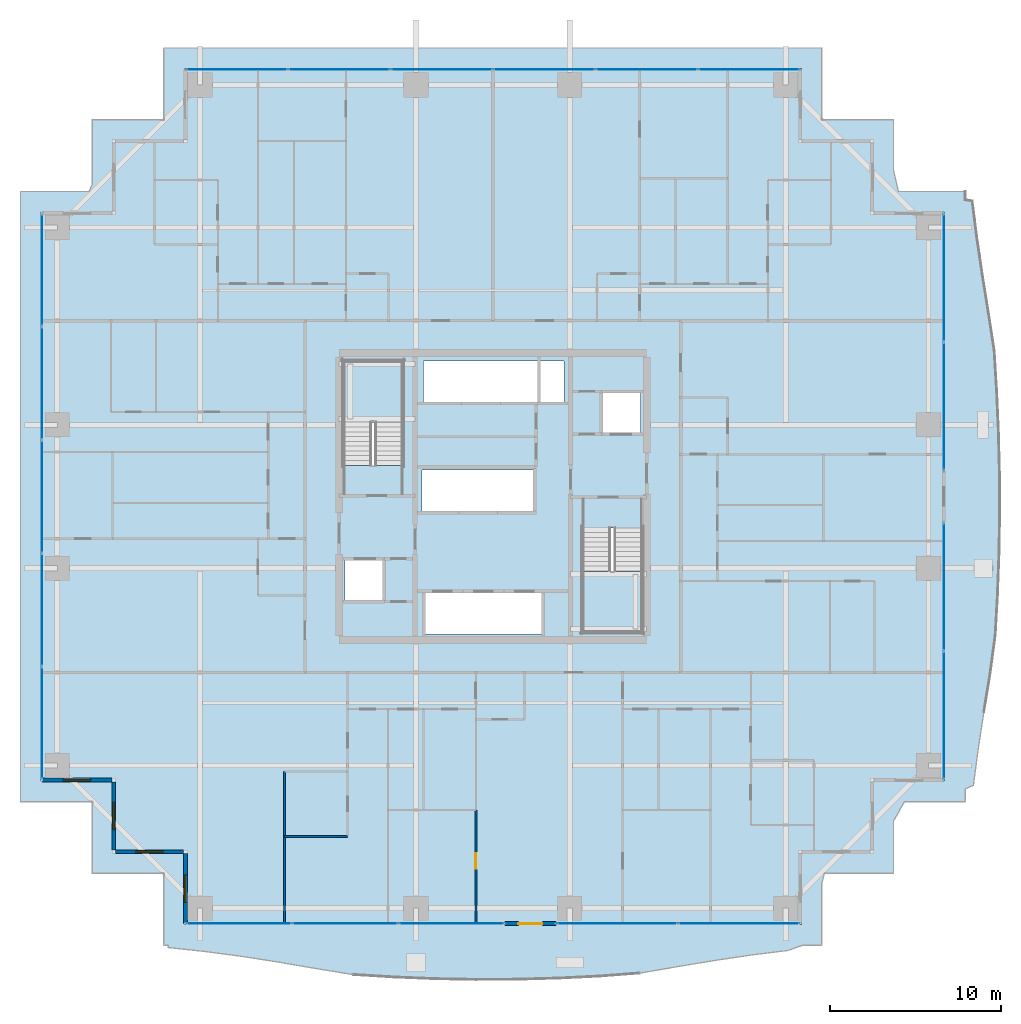
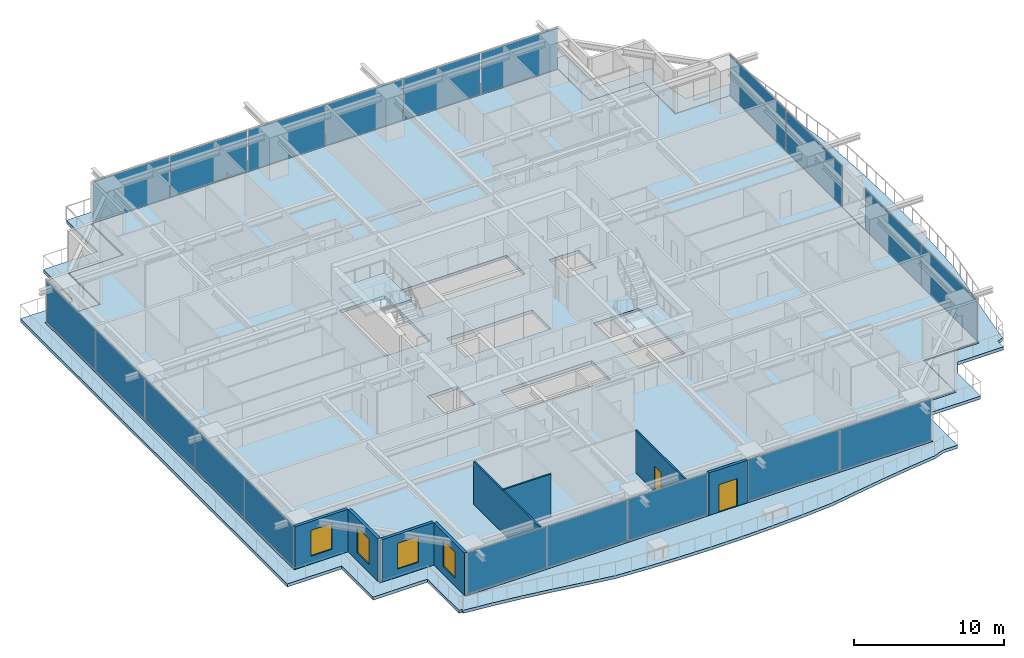
# One storey, part 26 of 39: 20 plates, 8 walls, 4 slabs, 4 windows, 2 doors, 6 openings, 8 elements without a shape of their own.
"""IFC4 building model written with IfcOpenShell, lengths in metres."""

import ifcopenshell
import ifcopenshell.guid

model = None  # the IFC model being written
_history = None  # IfcOwnerHistory: only IFC2X3 demands one
_inside = {}  # id of a spatial element -> (the spatial element, [elements in it])
_under = {}  # id of a project, library or spatial element -> (it, [spatial elements below it])
_declared = {}  # id of a project -> (the project, [libraries it declares])
_typed = {}  # id of a type object -> (the type object, [elements of that type])
_made_of = {}  # id of a material, layer set ... -> (it, [elements and type objects made of it])


def new_model(schema):
    """Start an empty IFC model of exactly this schema.

    Asked for "IFC4X3", IfcOpenShell would pick the latest addendum, in which some entities
    have other attributes; the version numbers below select the first issue.
    IFC2X3 requires an IfcOwnerHistory on every rooted entity: one is made here for all.
    """
    global model, _history
    if schema == "IFC4X3":
        model = ifcopenshell.file(schema_version=(4, 3, 0, 0))
    else:
        model = ifcopenshell.file(schema=schema)
    _inside.clear()
    _under.clear()
    _declared.clear()
    _typed.clear()
    _made_of.clear()
    _history = None
    if model.schema == "IFC2X3":
        org = make("IfcOrganization", Name="unknown")
        user = make(
            "IfcPersonAndOrganization",
            ThePerson=make("IfcPerson", FamilyName="unknown"),
            TheOrganization=org,
        )
        app = make(
            "IfcApplication",
            ApplicationDeveloper=org,
            Version="unknown",
            ApplicationFullName="unknown",
            ApplicationIdentifier="unknown",
        )
        _history = make(
            "IfcOwnerHistory",
            OwningUser=user,
            OwningApplication=app,
            ChangeAction="ADDED",
            CreationDate=0,
        )
    return model


def make(cls, **values):
    """One entity of the class cls with the attributes given. An attribute that is None is left unset."""
    return model.create_entity(
        cls, **{name: value for name, value in values.items() if value is not None}
    )


def rooted(cls, **values):
    """An entity with a GlobalId (a new one), such as an element, a storey or a relation."""
    return make(cls, GlobalId=ifcopenshell.guid.new(), OwnerHistory=_history, **values)


def si_unit(unit_type, name, prefix=None):
    """IfcSIUnit, for example si_unit("LENGTHUNIT", "METRE", prefix="MILLI")."""
    return make("IfcSIUnit", UnitType=unit_type, Prefix=prefix, Name=name)


def assignment(units):
    """IfcUnitAssignment: the units of a project."""
    return None if units is None else make("IfcUnitAssignment", Units=units)


def point(xyz):
    """IfcCartesianPoint."""
    return None if xyz is None else make("IfcCartesianPoint", Coordinates=xyz)


def direction(xyz):
    """IfcDirection."""
    return None if xyz is None else make("IfcDirection", DirectionRatios=xyz)


def frame(location, z_axis=None, x_axis=None):
    """IfcAxis2Placement3D, a coordinate frame: its origin and axes. An axis left out is left unset."""
    return make(
        "IfcAxis2Placement3D",
        Location=point(location),
        Axis=direction(z_axis),
        RefDirection=direction(x_axis),
    )


def frame_2d(location, x_axis=None):
    """IfcAxis2Placement2D, a coordinate frame in the plane: its origin and x axis."""
    return make(
        "IfcAxis2Placement2D", Location=point(location), RefDirection=direction(x_axis)
    )


def origin():
    """The frame at (0, 0, 0) with its axes left unset."""
    return frame((0.0, 0.0, 0.0))


def origin_2d():
    """The frame at (0, 0) in the plane with its x axis left unset."""
    return frame_2d((0.0, 0.0))


def place(relative_to, where):
    """IfcLocalPlacement: puts the frame where relative to a parent placement (None: the world)."""
    return make(
        "IfcLocalPlacement", PlacementRelTo=relative_to, RelativePlacement=where
    )


def context(
    kind, dimensions, precision=None, world=None, true_north=None, identifier=None
):
    """IfcGeometricRepresentationContext, for example the 3D "Model" context."""
    return make(
        "IfcGeometricRepresentationContext",
        ContextIdentifier=identifier,
        ContextType=kind,
        CoordinateSpaceDimension=dimensions,
        Precision=precision,
        WorldCoordinateSystem=world,
        TrueNorth=true_north,
    )


def subcontext(parent, identifier, kind, view, scale=None):
    """IfcGeometricRepresentationSubContext, for example "Body" below "Model"."""
    return make(
        "IfcGeometricRepresentationSubContext",
        ContextIdentifier=identifier,
        ContextType=kind,
        ParentContext=parent,
        TargetScale=scale,
        TargetView=view,
    )


def project(units=None, contexts=None):
    """IfcProject with its units and contexts."""
    return rooted(
        "IfcProject",
        Name="project",
        RepresentationContexts=contexts,
        UnitsInContext=assignment(units),
    )


def spatial(cls, under=None, at=None, **own):
    """A site, building, storey or space (cls), placed at a placement, below another one or the project."""
    s = rooted(cls, ObjectPlacement=at, **own)
    if under is not None:
        _under.setdefault(under.id(), (under, []))[1].append(s)
    return s


def polyline(points):
    """IfcPolyline through the points."""
    return make("IfcPolyline", Points=[point(p) for p in points])


def profile(cls, at=None, kind="AREA", **sizes):
    """A parametric profile (cls). Its sizes go by their IFC names, for example OverallWidth=200.0."""
    return make(cls, ProfileType=kind, Position=at, **sizes)


def rectangle(**sizes):
    """IfcRectangleProfileDef."""
    return profile("IfcRectangleProfileDef", **sizes)


def outline(outer, holes=None, kind="AREA"):
    """IfcArbitraryClosedProfileDef: a profile drawn as a closed curve; with holes, ...WithVoids."""
    if holes is None:
        return make("IfcArbitraryClosedProfileDef", ProfileType=kind, OuterCurve=outer)
    return make(
        "IfcArbitraryProfileDefWithVoids",
        ProfileType=kind,
        OuterCurve=outer,
        InnerCurves=holes,
    )


def extrude(swept, where, along, depth):
    """IfcExtrudedAreaSolid: the profile swept, set in the frame where, extruded along a direction by depth."""
    return make(
        "IfcExtrudedAreaSolid",
        SweptArea=swept,
        Position=where,
        ExtrudedDirection=direction(along),
        Depth=depth,
    )


def shape(context_of_items, identifier, shape_type, items):
    """IfcShapeRepresentation: the items that make up one representation, for example the "Body"."""
    return make(
        "IfcShapeRepresentation",
        ContextOfItems=context_of_items,
        RepresentationIdentifier=identifier,
        RepresentationType=shape_type,
        Items=items,
    )


def source(mapping_origin, context_of_items, identifier, shape_type, items):
    """IfcRepresentationMap: a shape defined once, which mapped items show again and again."""
    return make(
        "IfcRepresentationMap",
        MappingOrigin=mapping_origin,
        MappedRepresentation=shape(context_of_items, identifier, shape_type, items),
    )


def transform(
    local_origin,
    x_axis=None,
    y_axis=None,
    z_axis=None,
    scale=None,
    scale2=None,
    scale3=None,
    uniform=True,
):
    """IfcCartesianTransformationOperator3D, or its non-uniform kind. x_axis, y_axis, z_axis: its Axis1, 2, 3."""
    if uniform:
        return make(
            "IfcCartesianTransformationOperator3D",
            Axis1=direction(x_axis),
            Axis2=direction(y_axis),
            LocalOrigin=point(local_origin),
            Scale=scale,
            Axis3=direction(z_axis),
        )
    return make(
        "IfcCartesianTransformationOperator3DnonUniform",
        Axis1=direction(x_axis),
        Axis2=direction(y_axis),
        LocalOrigin=point(local_origin),
        Scale=scale,
        Axis3=direction(z_axis),
        Scale2=scale2,
        Scale3=scale3,
    )


def mapped(mapping_source, mapping_target):
    """IfcMappedItem: shows the shape of a source again, moved by a transform."""
    return make(
        "IfcMappedItem", MappingSource=mapping_source, MappingTarget=mapping_target
    )


def material(Name=None, Category=None):
    """IfcMaterial."""
    return make("IfcMaterial", Name=Name, Category=Category)


def layer(
    of_material, thickness, ventilated=None, Name=None, Category=None, Priority=None
):
    """IfcMaterialLayer: one layer of a wall or slab, of a material (None: an air gap)."""
    return make(
        "IfcMaterialLayer",
        Material=of_material,
        LayerThickness=thickness,
        IsVentilated=ventilated,
        Name=Name,
        Category=Category,
        Priority=Priority,
    )


def layer_set(layers, Name=None):
    """IfcMaterialLayerSet."""
    return make("IfcMaterialLayerSet", MaterialLayers=layers, LayerSetName=Name)


def made_of(thing, what):
    """Note that an element or type object is made of a material, layer set ...; save() writes the relation."""
    if what is not None:
        _made_of.setdefault(what.id(), (what, []))[1].append(thing)
    return thing


def type_object(cls, material=None, **own):
    """A type object (cls), such as IfcWallType, which elements share."""
    return made_of(rooted(cls, **own), material)


def element(
    cls,
    number,
    at=None,
    inside=None,
    cuts=None,
    type_object=None,
    material=None,
    context=None,
    identifier="Body",
    shape_type=None,
    held_by="IfcProductDefinitionShape",
    body=None,
    shapes=None,
    **own,
):
    """One element of the class cls, such as IfcWall. Its Tag is "e" and its number.

    at: its placement. inside: the storey or other place that contains it. cuts: it is an
    opening in that element (IfcRelVoidsElement). A single representation is given by context,
    identifier, shape_type and body (its items); several are given by shapes. held_by: the class
    of the entity that holds the representations. save() writes the other relations.
    """
    e = rooted(cls, Tag="e%d" % number, ObjectPlacement=at, **own)
    if body is not None:
        shapes = [shape(context, identifier, shape_type, body)]
    if shapes is not None:
        e.Representation = make(held_by, Representations=shapes)
    if inside is not None:
        _inside.setdefault(inside.id(), (inside, []))[1].append(e)
    if cuts is not None:
        rooted(
            "IfcRelVoidsElement", RelatingBuildingElement=cuts, RelatedOpeningElement=e
        )
    if type_object is not None:
        _typed.setdefault(type_object.id(), (type_object, []))[1].append(e)
    return made_of(e, material)


def fill(opening, filler):
    """IfcRelFillsElement: the door or window that sits in an opening."""
    return rooted(
        "IfcRelFillsElement",
        RelatingOpeningElement=opening,
        RelatedBuildingElement=filler,
    )


def aggregate(whole, parts):
    """IfcRelAggregates: a whole, such as a stair, and the parts it consists of."""
    return rooted("IfcRelAggregates", RelatingObject=whole, RelatedObjects=parts)


def save(model, path):
    """Write the relations noted so far, then the file.

    IfcRelAggregates (storeys below a building ...), IfcRelContainedInSpatialStructure (elements
    in a storey), IfcRelDefinesByType, IfcRelAssociatesMaterial and IfcRelDeclares: one each for
    every whole, place, type object, material and project.
    """
    for whole, parts in _under.values():
        aggregate(whole, parts)
    for where, things in _inside.values():
        rooted(
            "IfcRelContainedInSpatialStructure",
            RelatedElements=things,
            RelatingStructure=where,
        )
    for kind, things in _typed.values():
        rooted("IfcRelDefinesByType", RelatedObjects=things, RelatingType=kind)
    for what, things in _made_of.values():
        rooted("IfcRelAssociatesMaterial", RelatedObjects=things, RelatingMaterial=what)
    for by, libraries in _declared.values():
        rooted("IfcRelDeclares", RelatingContext=by, RelatedDefinitions=libraries)
    model.write(path)


model = new_model("IFC4")

# Units and contexts
model_context = context("Model", 3, precision=1e-05, world=origin(), true_north=direction((0.0, 1.0)))
body_context = subcontext(model_context, "Body", "Model", "MODEL_VIEW")
ifc_project = project(units=[si_unit("LENGTHUNIT", "METRE"), si_unit("AREAUNIT", "SQUARE_METRE"), si_unit("VOLUMEUNIT", "CUBIC_METRE"), si_unit("PLANEANGLEUNIT", "RADIAN"), si_unit("MASSUNIT", "GRAM", prefix="KILO")], contexts=[model_context])

# Site, building, storey
site_placement = place(None, origin())
site = spatial("IfcSite", under=ifc_project, at=site_placement, CompositionType="ELEMENT")
building_placement = place(site_placement, origin())
building = spatial("IfcBuilding", under=site, at=building_placement, Name="Serunith Strait Residences", CompositionType="ELEMENT")
storey_placement = place(building_placement, frame((0.0, 0.0, 94.199951171875)))
storey = spatial("IfcBuildingStorey", under=building, at=storey_placement, Name="L23", CompositionType="ELEMENT", Elevation=94.199951171875)

# Slab
ifc_material_1 = material(Name="Concrete C50/60", Category="concrete")
ifc_layer_1 = layer(ifc_material_1, 0.239990234375, Name="Concrete C50/60")
ifc_layer_set_1 = layer_set([ifc_layer_1], Name="Concrete C50/60")
slab_type_1 = type_object("IfcSlabType", Name="SLB-BALC-240", PredefinedType="FLOOR", material=ifc_layer_set_1)
slab_1_placement = place(storey_placement, frame((0.0, 0.0, -0.2900390625)))
element("IfcSlab", 1, at=slab_1_placement, inside=storey, type_object=slab_type_1, Name="L23 Planted Vertical-Forest Balcony Slab", PredefinedType="FLOOR", context=body_context, shape_type="SweptSolid", body=[
    extrude(outline(polyline([(13.139892578125, 3.139892578125), (8.93994140625, 3.139892578125), (8.93994140625, 7.340087890625), (4.739990234375, 7.340087890625), (4.739990234375, 43.06005859375), (8.7587890625, 43.06005859375), (8.93994140625, 43.457763671875), (8.93994140625, 47.260009765625), (13.139892578125, 47.260009765625), (13.139892578125, 51.4599609375), (51.659912109375, 51.4599609375), (51.659912109375, 47.260009765625), (55.860107421875, 47.260009765625), (55.860107421875, 44.29736328125), (56.142578125, 43.06005859375), (60.06005859375, 43.06005859375), (60.06005859375, 42.5625), (60.470458984375, 42.495849609375), (60.740234375, 40.36328125), (61.05712890625, 38.2080078125), (61.40966796875, 36.014404296875), (61.757568359375, 33.7626953125), (61.900146484375, 31.410888671875), (62.00634765625, 29.031494140625), (62.068115234375, 26.6328125), (62.07958984375, 24.2255859375), (62.039306640625, 21.822509765625), (61.94970703125, 19.435546875), (61.818359375, 17.07470703125), (61.509521484375, 14.798583984375), (61.148193359375, 12.595458984375), (60.8173828125, 10.43505859375), (60.53271484375, 8.30078125), (60.06005859375, 8.08447265625), (60.06005859375, 7.340087890625), (56.50341796875, 7.340087890625), (55.860107421875, 6.2177734375), (55.860107421875, 3.139892578125), (51.8154296875, 3.139892578125), (51.659912109375, 2.5556640625), (51.659912109375, -1.06005859375), (50.56005859375, -1.06005859375), (49.6884765625, -1.37060546875), (47.561767578125, -1.635009765625), (45.41552734375, -1.953369140625), (43.232421875, -2.316650390625), (40.99365234375, -2.701171875), (38.643310546875, -2.88134765625), (36.25390625, -2.998779296875), (33.841552734375, -3.06689453125), (31.419677734375, -3.0791015625), (29.00244140625, -3.033935546875), (26.604248046875, -2.934326171875), (24.236572265625, -2.789306640625), (21.978515625, -2.418701171875), (19.7861328125, -2.043701171875), (17.635498046875, -1.709716796875), (15.50830078125, -1.42919921875), (13.3896484375, -1.203369140625), (13.390625, -1.06005859375), (13.139892578125, -1.06005859375), (13.139892578125, 3.139892578125)]), holes=[polyline([(50.455078125, 0.14501953125), (50.455078125, 4.344970703125), (54.655029296875, 4.344970703125), (54.655029296875, 8.544921875), (58.85498046875, 8.544921875), (58.85498046875, 41.85498046875), (54.655029296875, 41.85498046875), (54.655029296875, 46.054931640625), (50.455078125, 46.054931640625), (50.455078125, 50.2548828125), (14.344970703125, 50.2548828125), (14.344970703125, 46.054931640625), (10.14501953125, 46.054931640625), (10.14501953125, 41.85498046875), (5.945068359375, 41.85498046875), (5.945068359375, 8.544921875), (10.14501953125, 8.544921875), (10.14501953125, 4.344970703125), (14.344970703125, 4.344970703125), (14.344970703125, 0.14501953125), (50.455078125, 0.14501953125)])]), origin(), (0.0, 0.0, 1.0), 0.239990234375),
])

# Stair, slab
stair_type_1 = type_object("IfcStairType", Name="STR-CORE-1", PredefinedType="HALF_TURN_STAIR", material=ifc_material_1)
stair_1_placement = place(storey_placement, origin())
stair_1 = element("IfcStair", 2, at=stair_1_placement, inside=storey, type_object=stair_type_1, Name="L23 Protected Escape Stair ST-1", PredefinedType="HALF_TURN_STAIR")
ifc_layer_2 = layer(ifc_material_1, 0.199951171875, Name="Concrete C50/60")
ifc_layer_set_2 = layer_set([ifc_layer_2], Name="Concrete C50/60")
slab_type_2 = type_object("IfcSlabType", Name="SLB-LAND-200", PredefinedType="LANDING", material=ifc_layer_set_2)
slab_2_placement = place(storey_placement, frame((0.0, 0.0, 1.675048828125)))
slab_2 = element("IfcSlab", 3, at=slab_2_placement, type_object=slab_type_2, Name="ST-1 landing 1", PredefinedType="LANDING", context=body_context, shape_type="SweptSolid", body=[
    extrude(outline(polyline([(27.14990234375, 29.550048828125), (27.14990234375, 33.14990234375), (23.64990234375, 33.14990234375), (23.64990234375, 29.550048828125), (27.14990234375, 29.550048828125)])), origin(), (0.0, 0.0, 1.0), 0.199951171875),
])
aggregate(stair_1, [slab_2])

stair_type_2 = type_object("IfcStairType", Name="STR-CORE-2", PredefinedType="HALF_TURN_STAIR", material=ifc_material_1)
stair_2_placement = place(storey_placement, origin())
stair_2 = element("IfcStair", 4, at=stair_2_placement, inside=storey, type_object=stair_type_2, Name="L23 Protected Escape Stair ST-2", PredefinedType="HALF_TURN_STAIR")
slab_3_placement = place(storey_placement, frame((0.0, 0.0, 1.675048828125)))
slab_3 = element("IfcSlab", 5, at=slab_3_placement, type_object=slab_type_2, Name="ST-2 landing 1", PredefinedType="LANDING", context=body_context, shape_type="SweptSolid", body=[
    extrude(outline(polyline([(37.64990234375, 20.85009765625), (37.64990234375, 17.25), (41.14990234375, 17.25), (41.14990234375, 20.85009765625), (37.64990234375, 20.85009765625)])), origin(), (0.0, 0.0, 1.0), 0.199951171875),
])
aggregate(stair_2, [slab_3])

# Slab
ifc_material_2 = material(Name="Concrete C60/75", Category="concrete")
ifc_layer_3 = layer(ifc_material_2, 0.260009765625, Name="Concrete C60/75")
ifc_layer_set_3 = layer_set([ifc_layer_3], Name="Concrete C60/75")
slab_type_3 = type_object("IfcSlabType", Name="SLB-TWR-260-Z1", PredefinedType="FLOOR", material=ifc_layer_set_3)
slab_4_placement = place(storey_placement, frame((0.0, 0.0, -0.260009765625)))
element("IfcSlab", 6, at=slab_4_placement, inside=storey, type_object=slab_type_3, Name="L23 Structural Floor Plate", PredefinedType="FLOOR", context=body_context, shape_type="SweptSolid", body=[
    extrude(outline(polyline([(14.39990234375, 4.39990234375), (10.199951171875, 4.39990234375), (10.199951171875, 8.60009765625), (6.0, 8.60009765625), (6.0, 41.800048828125), (10.199951171875, 41.800048828125), (10.199951171875, 46.0), (14.39990234375, 46.0), (14.39990234375, 50.199951171875), (50.39990234375, 50.199951171875), (50.39990234375, 46.0), (54.60009765625, 46.0), (54.60009765625, 41.800048828125), (58.800048828125, 41.800048828125), (58.800048828125, 8.60009765625), (54.60009765625, 8.60009765625), (54.60009765625, 4.39990234375), (50.39990234375, 4.39990234375), (50.39990234375, 0.199951171875), (14.39990234375, 0.199951171875), (14.39990234375, 4.39990234375)]), holes=[polyline([(41.14990234375, 17.25), (41.14990234375, 23.3701171875), (37.64990234375, 23.3701171875), (37.64990234375, 17.25), (41.14990234375, 17.25)]), polyline([(41.050048828125, 31.25), (38.75, 31.25), (38.75, 28.85009765625), (41.050048828125, 28.85009765625), (41.050048828125, 31.25)]), polyline([(36.550048828125, 33.14990234375), (28.35009765625, 33.14990234375), (28.35009765625, 30.64990234375), (36.550048828125, 30.64990234375), (36.550048828125, 33.14990234375)]), polyline([(28.35009765625, 19.64990234375), (28.35009765625, 17.14990234375), (35.35009765625, 17.14990234375), (35.35009765625, 19.64990234375), (28.35009765625, 19.64990234375)]), polyline([(34.85009765625, 26.75), (28.25, 26.75), (28.25, 24.25), (34.85009765625, 24.25), (34.85009765625, 26.75)]), polyline([(23.64990234375, 33.14990234375), (23.64990234375, 27.030029296875), (27.14990234375, 27.030029296875), (27.14990234375, 33.14990234375), (23.64990234375, 33.14990234375)]), polyline([(26.050048828125, 21.550048828125), (23.75, 21.550048828125), (23.75, 19.14990234375), (26.050048828125, 19.14990234375), (26.050048828125, 21.550048828125)])]), origin(), (0.0, 0.0, 1.0), 0.260009765625),
])

# Curtain wall, plates
ifc_material_3 = material(Name="Pale-Champagne Anodised Aluminium", Category="aluminium")
ifc_layer_4 = layer(ifc_material_3, 0.199951171875, Name="Pale-Champagne Anodised Aluminium")
ifc_layer_set_4 = layer_set([ifc_layer_4], Name="Pale-Champagne Anodised Aluminium")
curtain_wall_type = type_object("IfcCurtainWallType", Name="CW-SYS1", PredefinedType="NOTDEFINED", material=ifc_layer_set_4)
curtain_wall_1_placement = place(storey_placement, origin())
curtain_wall_1 = element("IfcCurtainWall", 7, at=curtain_wall_1_placement, inside=storey, type_object=curtain_wall_type, Name="L23 N Unitised Fritted Curtain Wall", PredefinedType="NOTDEFINED")
ifc_material_4 = material(Name="Ceramic-Fritted Low-E Double Glazing 28mm", Category="glass")
ifc_layer_5 = layer(ifc_material_4, 0.028076171875, Name="Ceramic-Fritted Low-E Double Glazing 28mm")
ifc_layer_set_5 = layer_set([ifc_layer_5], Name="Ceramic-Fritted Low-E Double Glazing 28mm")
plate_type = type_object("IfcPlateType", Name="CW-SYS1-PNL", PredefinedType="CURTAIN_PANEL", material=ifc_layer_set_5)
shared_shape_1 = source(origin(), body_context, "Body", "SweptSolid", [
    extrude(rectangle(XDim=5.89501953125, YDim=0.028076171875, at=origin_2d()), origin(), (0.0, 0.0, 1.0), 3.35498046875),
])
plate_1_placement = place(storey_placement, frame((47.382568359375, 50.199951171875, 0.06005859375), z_axis=(0.0, 0.0, 1.0), x_axis=(-1.0, 0.0, 0.0)))
plate_1 = element("IfcPlate", 8, at=plate_1_placement, type_object=plate_type, Name="CW-1 panel 1.1", PredefinedType="CURTAIN_PANEL", context=body_context, shape_type="MappedRepresentation", body=[
    mapped(shared_shape_1, transform((0.0, 0.0, 0.0), scale=1.0)),
])
plate_2_placement = place(storey_placement, frame((17.41748046875, 50.199951171875, 0.06005859375), z_axis=(0.0, 0.0, 1.0), x_axis=(-1.0, 0.0, 0.0)))
plate_2 = element("IfcPlate", 9, at=plate_2_placement, type_object=plate_type, Name="CW-1 panel 6.1", PredefinedType="CURTAIN_PANEL", context=body_context, shape_type="MappedRepresentation", body=[
    mapped(shared_shape_1, transform((0.0, 0.0, 0.0), scale=1.0)),
])
shared_shape_2 = source(origin(), body_context, "Body", "SweptSolid", [
    extrude(rectangle(XDim=5.929931640625, YDim=0.028076171875, at=origin_2d()), origin(), (0.0, 0.0, 1.0), 3.35498046875),
])
plate_3_placement = place(storey_placement, frame((41.39990234375, 50.199951171875, 0.06005859375), z_axis=(0.0, 0.0, 1.0), x_axis=(-1.0, 0.0, 0.0)))
plate_3 = element("IfcPlate", 10, at=plate_3_placement, type_object=plate_type, Name="CW-1 panel 2.1", PredefinedType="CURTAIN_PANEL", context=body_context, shape_type="MappedRepresentation", body=[
    mapped(shared_shape_2, transform((0.0, 0.0, 0.0), scale=1.0)),
])
plate_4_placement = place(storey_placement, frame((35.39990234375, 50.199951171875, 0.06005859375), z_axis=(0.0, 0.0, 1.0), x_axis=(-1.0, 0.0, 0.0)))
plate_4 = element("IfcPlate", 11, at=plate_4_placement, type_object=plate_type, Name="CW-1 panel 3.1", PredefinedType="CURTAIN_PANEL", context=body_context, shape_type="MappedRepresentation", body=[
    mapped(shared_shape_2, transform((0.0, 0.0, 0.0), scale=1.0)),
])
plate_5_placement = place(storey_placement, frame((29.39990234375, 50.199951171875, 0.06005859375), z_axis=(0.0, 0.0, 1.0), x_axis=(-1.0, 0.0, 0.0)))
plate_5 = element("IfcPlate", 12, at=plate_5_placement, type_object=plate_type, Name="CW-1 panel 4.1", PredefinedType="CURTAIN_PANEL", context=body_context, shape_type="MappedRepresentation", body=[
    mapped(shared_shape_2, transform((0.0, 0.0, 0.0), scale=1.0)),
])
plate_6_placement = place(storey_placement, frame((23.39990234375, 50.199951171875, 0.06005859375), z_axis=(0.0, 0.0, 1.0), x_axis=(-1.0, 0.0, 0.0)))
plate_6 = element("IfcPlate", 13, at=plate_6_placement, type_object=plate_type, Name="CW-1 panel 5.1", PredefinedType="CURTAIN_PANEL", context=body_context, shape_type="MappedRepresentation", body=[
    mapped(shared_shape_2, transform((0.0, 0.0, 0.0), scale=1.0)),
])
aggregate(curtain_wall_1, [plate_1, plate_3, plate_4, plate_5, plate_6, plate_2])

curtain_wall_2_placement = place(storey_placement, origin())
curtain_wall_2 = element("IfcCurtainWall", 14, at=curtain_wall_2_placement, inside=storey, type_object=curtain_wall_type, Name="L23 E Unitised Fritted Curtain Wall", PredefinedType="NOTDEFINED")
shared_shape_3 = source(origin(), body_context, "Body", "SweptSolid", [
    extrude(rectangle(XDim=7.445068359375, YDim=0.028076171875, at=origin_2d()), origin(), (0.0, 0.0, 1.0), 3.35498046875),
])
plate_7_placement = place(storey_placement, frame((58.800048828125, 12.392578125, 0.06005859375), z_axis=(0.0, 0.0, 1.0), x_axis=(0.0, 1.0, 0.0)))
plate_7 = element("IfcPlate", 15, at=plate_7_placement, type_object=plate_type, Name="CW-1 panel 1.1", PredefinedType="CURTAIN_PANEL", context=body_context, shape_type="MappedRepresentation", body=[
    mapped(shared_shape_3, transform((0.0, 0.0, 0.0), scale=1.0)),
])
plate_8_placement = place(storey_placement, frame((58.800048828125, 19.907470703125, 0.06005859375), z_axis=(0.0, 0.0, 1.0), x_axis=(0.0, 1.0, 0.0)))
plate_8 = element("IfcPlate", 16, at=plate_8_placement, type_object=plate_type, Name="CW-1 panel 2.1", PredefinedType="CURTAIN_PANEL", context=body_context, shape_type="MappedRepresentation", body=[
    mapped(shared_shape_3, transform((0.0, 0.0, 0.0), scale=1.0)),
])
aggregate(curtain_wall_2, [plate_7, plate_8])

curtain_wall_3_placement = place(storey_placement, origin())
curtain_wall_3 = element("IfcCurtainWall", 17, at=curtain_wall_3_placement, inside=storey, type_object=curtain_wall_type, Name="L23 E Unitised Fritted Curtain Wall", PredefinedType="NOTDEFINED")
plate_9_placement = place(storey_placement, frame((58.800048828125, 30.492431640625, 0.06005859375), z_axis=(0.0, 0.0, 1.0), x_axis=(0.0, 1.0, 0.0)))
plate_9 = element("IfcPlate", 18, at=plate_9_placement, type_object=plate_type, Name="CW-1 panel 1.1", PredefinedType="CURTAIN_PANEL", context=body_context, shape_type="MappedRepresentation", body=[
    mapped(shared_shape_3, transform((0.0, 0.0, 0.0), scale=1.0)),
])
plate_10_placement = place(storey_placement, frame((58.800048828125, 38.007568359375, 0.06005859375), z_axis=(0.0, 0.0, 1.0), x_axis=(0.0, 1.0, 0.0)))
plate_10 = element("IfcPlate", 19, at=plate_10_placement, type_object=plate_type, Name="CW-1 panel 2.1", PredefinedType="CURTAIN_PANEL", context=body_context, shape_type="MappedRepresentation", body=[
    mapped(shared_shape_3, transform((0.0, 0.0, 0.0), scale=1.0)),
])
aggregate(curtain_wall_3, [plate_9, plate_10])

curtain_wall_4_placement = place(storey_placement, origin())
curtain_wall_4 = element("IfcCurtainWall", 20, at=curtain_wall_4_placement, inside=storey, type_object=curtain_wall_type, Name="L23 W Unitised Fritted Curtain Wall", PredefinedType="NOTDEFINED")
shared_shape_4 = source(origin(), body_context, "Body", "SweptSolid", [
    extrude(rectangle(XDim=6.534912109375, YDim=0.028076171875, at=origin_2d()), origin(), (0.0, 0.0, 1.0), 3.35498046875),
])
plate_11_placement = place(storey_placement, frame((6.0, 38.46240234375, 0.06005859375), z_axis=(0.0, 0.0, 1.0), x_axis=(0.0, -1.0, 0.0)))
plate_11 = element("IfcPlate", 21, at=plate_11_placement, type_object=plate_type, Name="CW-1 panel 1.1", PredefinedType="CURTAIN_PANEL", context=body_context, shape_type="MappedRepresentation", body=[
    mapped(shared_shape_4, transform((0.0, 0.0, 0.0), scale=1.0)),
])
plate_12_placement = place(storey_placement, frame((6.0, 11.9375, 0.06005859375), z_axis=(0.0, 0.0, 1.0), x_axis=(0.0, -1.0, 0.0)))
plate_12 = element("IfcPlate", 22, at=plate_12_placement, type_object=plate_type, Name="CW-1 panel 5.1", PredefinedType="CURTAIN_PANEL", context=body_context, shape_type="MappedRepresentation", body=[
    mapped(shared_shape_4, transform((0.0, 0.0, 0.0), scale=1.0)),
])
shared_shape_5 = source(origin(), body_context, "Body", "SweptSolid", [
    extrude(rectangle(XDim=6.570068359375, YDim=0.028076171875, at=origin_2d()), origin(), (0.0, 0.0, 1.0), 3.35498046875),
])
plate_13_placement = place(storey_placement, frame((6.0, 31.840087890625, 0.06005859375), z_axis=(0.0, 0.0, 1.0), x_axis=(0.0, -1.0, 0.0)))
plate_13 = element("IfcPlate", 23, at=plate_13_placement, type_object=plate_type, Name="CW-1 panel 2.1", PredefinedType="CURTAIN_PANEL", context=body_context, shape_type="MappedRepresentation", body=[
    mapped(shared_shape_5, transform((0.0, 0.0, 0.0), scale=1.0)),
])
plate_14_placement = place(storey_placement, frame((6.0, 25.199951171875, 0.06005859375), z_axis=(0.0, 0.0, 1.0), x_axis=(0.0, -1.0, 0.0)))
plate_14 = element("IfcPlate", 24, at=plate_14_placement, type_object=plate_type, Name="CW-1 panel 3.1", PredefinedType="CURTAIN_PANEL", context=body_context, shape_type="MappedRepresentation", body=[
    mapped(shared_shape_5, transform((0.0, 0.0, 0.0), scale=1.0)),
])
plate_15_placement = place(storey_placement, frame((6.0, 18.56005859375, 0.06005859375), z_axis=(0.0, 0.0, 1.0), x_axis=(0.0, -1.0, 0.0)))
plate_15 = element("IfcPlate", 25, at=plate_15_placement, type_object=plate_type, Name="CW-1 panel 4.1", PredefinedType="CURTAIN_PANEL", context=body_context, shape_type="MappedRepresentation", body=[
    mapped(shared_shape_5, transform((0.0, 0.0, 0.0), scale=1.0)),
])
aggregate(curtain_wall_4, [plate_11, plate_13, plate_14, plate_15, plate_12])

curtain_wall_5_placement = place(storey_placement, origin())
curtain_wall_5 = element("IfcCurtainWall", 26, at=curtain_wall_5_placement, inside=storey, type_object=curtain_wall_type, Name="L23 S Unitised Fritted Curtain Wall", PredefinedType="NOTDEFINED")
shared_shape_6 = source(origin(), body_context, "Body", "SweptSolid", [
    extrude(rectangle(XDim=7.044921875, YDim=0.028076171875, at=origin_2d()), origin(), (0.0, 0.0, 1.0), 3.35498046875),
])
plate_16_placement = place(storey_placement, frame((39.6923828125, 0.199951171875, 0.06005859375), z_axis=(0.0, 0.0, 1.0), x_axis=(1.0, 0.0, 0.0)))
plate_16 = element("IfcPlate", 27, at=plate_16_placement, type_object=plate_type, Name="CW-1 panel 1.1", PredefinedType="CURTAIN_PANEL", context=body_context, shape_type="MappedRepresentation", body=[
    mapped(shared_shape_6, transform((0.0, 0.0, 0.0), scale=1.0)),
])
plate_17_placement = place(storey_placement, frame((46.8076171875, 0.199951171875, 0.06005859375), z_axis=(0.0, 0.0, 1.0), x_axis=(1.0, 0.0, 0.0)))
plate_17 = element("IfcPlate", 28, at=plate_17_placement, type_object=plate_type, Name="CW-1 panel 2.1", PredefinedType="CURTAIN_PANEL", context=body_context, shape_type="MappedRepresentation", body=[
    mapped(shared_shape_6, transform((0.0, 0.0, 0.0), scale=1.0)),
])
aggregate(curtain_wall_5, [plate_16, plate_17])

curtain_wall_6_placement = place(storey_placement, origin())
curtain_wall_6 = element("IfcCurtainWall", 29, at=curtain_wall_6_placement, inside=storey, type_object=curtain_wall_type, Name="L23 S Unitised Fritted Curtain Wall", PredefinedType="NOTDEFINED")
shared_shape_7 = source(origin(), body_context, "Body", "SweptSolid", [
    extrude(rectangle(XDim=6.12841796875, YDim=0.028076171875, at=origin_2d()), origin(), (0.0, 0.0, 1.0), 3.35498046875),
])
plate_18_placement = place(storey_placement, frame((17.5341796875, 0.199951171875, 0.06005859375), z_axis=(0.0, 0.0, 1.0), x_axis=(1.0, 0.0, 0.0)))
plate_18 = element("IfcPlate", 30, at=plate_18_placement, type_object=plate_type, Name="CW-1 panel 1.1", PredefinedType="CURTAIN_PANEL", context=body_context, shape_type="MappedRepresentation", body=[
    mapped(shared_shape_7, transform((0.0, 0.0, 0.0), scale=1.0)),
])
plate_19_placement = place(storey_placement, frame((29.9658203125, 0.199951171875, 0.06005859375), z_axis=(0.0, 0.0, 1.0), x_axis=(1.0, 0.0, 0.0)))
plate_19 = element("IfcPlate", 31, at=plate_19_placement, type_object=plate_type, Name="CW-1 panel 3.1", PredefinedType="CURTAIN_PANEL", context=body_context, shape_type="MappedRepresentation", body=[
    mapped(shared_shape_7, transform((0.0, 0.0, 0.0), scale=1.0)),
])
shared_shape_8 = source(origin(), body_context, "Body", "SweptSolid", [
    extrude(rectangle(XDim=6.163330078125, YDim=0.028076171875, at=origin_2d()), origin(), (0.0, 0.0, 1.0), 3.35498046875),
])
plate_20_placement = place(storey_placement, frame((23.75, 0.199951171875, 0.06005859375), z_axis=(0.0, 0.0, 1.0), x_axis=(1.0, 0.0, 0.0)))
plate_20 = element("IfcPlate", 32, at=plate_20_placement, type_object=plate_type, Name="CW-1 panel 2.1", PredefinedType="CURTAIN_PANEL", context=body_context, shape_type="MappedRepresentation", body=[
    mapped(shared_shape_8, transform((0.0, 0.0, 0.0), scale=1.0)),
])
aggregate(curtain_wall_6, [plate_18, plate_20, plate_19])

# Wall, opening, door
ifc_material_5 = material(Name="Pale-Champagne Aluminium Insulated Panel", Category="aluminium")
ifc_layer_6 = layer(ifc_material_5, 0.219970703125, Name="Pale-Champagne Aluminium Insulated Panel")
ifc_layer_set_6 = layer_set([ifc_layer_6], Name="Pale-Champagne Aluminium Insulated Panel")
wall_type_1 = type_object("IfcWallType", Name="EW-ALUM-220", PredefinedType="ELEMENTEDWALL", material=ifc_layer_set_6)
wall_1_placement = place(storey_placement, frame((33.10009765625, 0.199951171875, 0.0), z_axis=(0.0, 0.0, 1.0), x_axis=(1.0, 0.0, 0.0)))
wall_1 = element("IfcWall", 33, at=wall_1_placement, inside=storey, type_object=wall_type_1, Name="L23 S Facade Pier Wall", PredefinedType="ELEMENTEDWALL", context=body_context, shape_type="SweptSolid", body=[
    extrude(rectangle(XDim=3.0, YDim=0.219970703125, at=frame_2d((1.5, 0.0))), origin(), (0.0, 0.0, 1.0), 3.47509765625),
])
opening_1_placement = place(wall_1_placement, frame((0.800048828125, 0.0, 0.0)))
opening_1 = element("IfcOpeningElement", 34, at=opening_1_placement, cuts=wall_1, Name="Opening ED-04", PredefinedType="OPENING", context=body_context, shape_type="SweptSolid", body=[
    extrude(rectangle(XDim=1.39990234375, YDim=2.25, at=frame_2d((0.699951171875, 1.125))), frame((0.0, 0.1201171875, 0.0), z_axis=(0.0, -1.0, 0.0), x_axis=(1.0, 0.0, 0.0)), (0.0, 0.0, 1.0), 0.239990234375),
])
ifc_material_6 = material(Name="Thermally-Broken Aluminium Sliding Balcony Door", Category="aluminium")
door_type_1 = type_object("IfcDoorType", Name="ED-BALC-1400", OperationType="NOTDEFINED", PredefinedType="DOOR", material=ifc_material_6)
shared_shape_9 = source(origin(), body_context, "Body", "SweptSolid", [
    extrude(rectangle(XDim=1.39990234375, YDim=2.25, at=frame_2d((0.699951171875, 1.125))), frame((0.0, 0.02490234375, 0.0), z_axis=(0.0, -1.0, 0.0), x_axis=(1.0, 0.0, 0.0)), (0.0, 0.0, 1.0), 0.050048828125),
])
door_1_placement = place(opening_1_placement, origin())
door_1 = element("IfcDoor", 35, at=door_1_placement, inside=storey, type_object=door_type_1, Name="L23 S Vertical-Forest Balcony Door", OperationType="SLIDING_TO_LEFT", OverallHeight=2.25, OverallWidth=1.39990234375, PredefinedType="DOOR", context=body_context, shape_type="MappedRepresentation", body=[
    mapped(shared_shape_9, transform((0.0, 0.0, 0.0), scale=1.0)),
])
fill(opening_1, door_1)

# Wall, opening, window
wall_2_placement = place(storey_placement, frame((6.0, 8.60009765625, 0.0), z_axis=(0.0, 0.0, 1.0), x_axis=(1.0, 0.0, 0.0)))
wall_2 = element("IfcWall", 36, at=wall_2_placement, inside=storey, type_object=wall_type_1, Name="L23 Girih Serrated Corner Wall 17", PredefinedType="ELEMENTEDWALL", context=body_context, shape_type="SweptSolid", body=[
    extrude(rectangle(XDim=4.090087890625, YDim=0.219970703125, at=frame_2d((2.044921875, 0.0))), origin(), (0.0, 0.0, 1.0), 3.47509765625),
])
opening_2_placement = place(wall_2_placement, frame((1.2451171875, 0.0, 0.64990234375)))
opening_2 = element("IfcOpeningElement", 37, at=opening_2_placement, cuts=wall_2, Name="Opening W-02", PredefinedType="OPENING", context=body_context, shape_type="SweptSolid", body=[
    extrude(rectangle(XDim=1.60009765625, YDim=2.10009765625, at=frame_2d((0.800048828125, 1.050048828125))), frame((0.0, 0.1201171875, 0.0), z_axis=(0.0, -1.0, 0.0), x_axis=(1.0, 0.0, 0.0)), (0.0, 0.0, 1.0), 0.239990234375),
])
ifc_material_7 = material(Name="Ceramic-Fritted Operable Aluminium Window Glass", Category="aluminium")
window_type = type_object("IfcWindowType", Name="WIN-C2", PartitioningType="DOUBLE_PANEL_VERTICAL", PredefinedType="WINDOW", material=ifc_material_7)
shared_shape_10 = source(origin(), body_context, "Body", "SweptSolid", [
    extrude(rectangle(XDim=1.60009765625, YDim=2.10009765625, at=frame_2d((0.800048828125, 1.050048828125))), frame((0.0, 0.030029296875, 0.0), z_axis=(0.0, -1.0, 0.0), x_axis=(1.0, 0.0, 0.0)), (0.0, 0.0, 1.0), 0.06005859375),
])
window_1_placement = place(opening_2_placement, origin())
window_1 = element("IfcWindow", 38, at=window_1_placement, inside=storey, type_object=window_type, Name="L23 Corner Operable Fritted Window 17", OverallHeight=2.10009765625, OverallWidth=1.60009765625, PartitioningType="SINGLE_PANEL", PredefinedType="WINDOW", context=body_context, shape_type="MappedRepresentation", body=[
    mapped(shared_shape_10, transform((0.0, 0.0, 0.0), scale=1.0)),
])
fill(opening_2, window_1)

wall_3_placement = place(storey_placement, frame((10.199951171875, 8.489990234375, 0.0), z_axis=(0.0, 0.0, 1.0), x_axis=(0.0, -1.0, 0.0)))
wall_3 = element("IfcWall", 39, at=wall_3_placement, inside=storey, type_object=wall_type_1, Name="L23 Girih Serrated Corner Wall 18", PredefinedType="ELEMENTEDWALL", context=body_context, shape_type="SweptSolid", body=[
    extrude(rectangle(XDim=3.97998046875, YDim=0.219970703125, at=frame_2d((1.989990234375, 0.0))), origin(), (0.0, 0.0, 1.0), 3.47509765625),
])
opening_3_placement = place(wall_3_placement, frame((1.18994140625, 0.0, 0.64990234375)))
opening_3 = element("IfcOpeningElement", 40, at=opening_3_placement, cuts=wall_3, Name="Opening W-02", PredefinedType="OPENING", context=body_context, shape_type="SweptSolid", body=[
    extrude(rectangle(XDim=1.60009765625, YDim=2.10009765625, at=frame_2d((0.800048828125, 1.050048828125))), frame((0.0, 0.1201171875, 0.0), z_axis=(0.0, -1.0, 0.0), x_axis=(1.0, 0.0, 0.0)), (0.0, 0.0, 1.0), 0.239990234375),
])
window_2_placement = place(opening_3_placement, origin())
window_2 = element("IfcWindow", 41, at=window_2_placement, inside=storey, type_object=window_type, Name="L23 Corner Operable Fritted Window 18", OverallHeight=2.10009765625, OverallWidth=1.60009765625, PartitioningType="SINGLE_PANEL", PredefinedType="WINDOW", context=body_context, shape_type="MappedRepresentation", body=[
    mapped(shared_shape_10, transform((0.0, 0.0, 0.0), scale=1.0)),
])
fill(opening_3, window_2)

wall_4_placement = place(storey_placement, frame((10.31005859375, 4.39990234375, 0.0), z_axis=(0.0, 0.0, 1.0), x_axis=(1.0, 0.0, 0.0)))
wall_4 = element("IfcWall", 42, at=wall_4_placement, inside=storey, type_object=wall_type_1, Name="L23 Girih Serrated Corner Wall 19", PredefinedType="ELEMENTEDWALL", context=body_context, shape_type="SweptSolid", body=[
    extrude(rectangle(XDim=3.97998046875, YDim=0.219970703125, at=frame_2d((1.989990234375, 0.0))), origin(), (0.0, 0.0, 1.0), 3.47509765625),
])
opening_4_placement = place(wall_4_placement, frame((1.18994140625, 0.0, 0.64990234375)))
opening_4 = element("IfcOpeningElement", 43, at=opening_4_placement, cuts=wall_4, Name="Opening W-02", PredefinedType="OPENING", context=body_context, shape_type="SweptSolid", body=[
    extrude(rectangle(XDim=1.60009765625, YDim=2.10009765625, at=frame_2d((0.800048828125, 1.050048828125))), frame((0.0, 0.1201171875, 0.0), z_axis=(0.0, -1.0, 0.0), x_axis=(1.0, 0.0, 0.0)), (0.0, 0.0, 1.0), 0.239990234375),
])
window_3_placement = place(opening_4_placement, origin())
window_3 = element("IfcWindow", 44, at=window_3_placement, inside=storey, type_object=window_type, Name="L23 Corner Operable Fritted Window 19", OverallHeight=2.10009765625, OverallWidth=1.60009765625, PartitioningType="SINGLE_PANEL", PredefinedType="WINDOW", context=body_context, shape_type="MappedRepresentation", body=[
    mapped(shared_shape_10, transform((0.0, 0.0, 0.0), scale=1.0)),
])
fill(opening_4, window_3)

wall_5_placement = place(storey_placement, frame((14.39990234375, 4.2900390625, 0.0), z_axis=(0.0, 0.0, 1.0), x_axis=(0.0, -1.0, 0.0)))
wall_5 = element("IfcWall", 45, at=wall_5_placement, inside=storey, type_object=wall_type_1, Name="L23 Girih Serrated Corner Wall 20", PredefinedType="ELEMENTEDWALL", context=body_context, shape_type="SweptSolid", body=[
    extrude(rectangle(XDim=4.090087890625, YDim=0.219970703125, at=frame_2d((2.044921875, 0.0))), origin(), (0.0, 0.0, 1.0), 3.47509765625),
])
opening_5_placement = place(wall_5_placement, frame((1.2451171875, 0.0, 0.64990234375)))
opening_5 = element("IfcOpeningElement", 46, at=opening_5_placement, cuts=wall_5, Name="Opening W-02", PredefinedType="OPENING", context=body_context, shape_type="SweptSolid", body=[
    extrude(rectangle(XDim=1.60009765625, YDim=2.10009765625, at=frame_2d((0.800048828125, 1.050048828125))), frame((0.0, 0.1201171875, 0.0), z_axis=(0.0, -1.0, 0.0), x_axis=(1.0, 0.0, 0.0)), (0.0, 0.0, 1.0), 0.239990234375),
])
window_4_placement = place(opening_5_placement, origin())
window_4 = element("IfcWindow", 47, at=window_4_placement, inside=storey, type_object=window_type, Name="L23 Corner Operable Fritted Window 20", OverallHeight=2.10009765625, OverallWidth=1.60009765625, PartitioningType="SINGLE_PANEL", PredefinedType="WINDOW", context=body_context, shape_type="MappedRepresentation", body=[
    mapped(shared_shape_10, transform((0.0, 0.0, 0.0), scale=1.0)),
])
fill(opening_5, window_4)

# Wall, opening, door
ifc_material_8 = material(Name="Lightweight steel-stud gypsum partition", Category="steel")
ifc_layer_7 = layer(ifc_material_8, 0.1201171875, Name="Lightweight steel-stud gypsum partition")
ifc_layer_set_7 = layer_set([ifc_layer_7], Name="Lightweight steel-stud gypsum partition")
wall_type_2 = type_object("IfcWallType", Name="IW-PART-120", PredefinedType="PARTITIONING", material=ifc_layer_set_7)
wall_6_placement = place(storey_placement, frame((31.39990234375, 0.294921875, 0.0), z_axis=(0.0, 0.0, 1.0), x_axis=(0.0, 1.0, 0.0)))
wall_6 = element("IfcWall", 48, at=wall_6_placement, inside=storey, type_object=wall_type_2, Name="L23 Partition Wall 029", PredefinedType="PARTITIONING", context=body_context, shape_type="SweptSolid", body=[
    extrude(rectangle(XDim=6.565185546875, YDim=0.1201171875, at=frame_2d((3.28271484375, 0.0))), origin(), (0.0, 0.0, 1.0), 3.489990234375),
])
opening_6_placement = place(wall_6_placement, frame((3.115966796875, 0.0, 0.0)))
opening_6 = element("IfcOpeningElement", 49, at=opening_6_placement, cuts=wall_6, Name="Opening D-RM900", PredefinedType="OPENING", context=body_context, shape_type="SweptSolid", body=[
    extrude(rectangle(XDim=0.89990234375, YDim=2.10009765625, at=frame_2d((0.449951171875, 1.050048828125))), frame((0.0, 0.070068359375, 0.0), z_axis=(0.0, -1.0, 0.0), x_axis=(1.0, 0.0, 0.0)), (0.0, 0.0, 1.0), 0.14013671875),
])
ifc_material_9 = material(Name="Engineered timber flush bedroom door", Category="wood")
door_type_2 = type_object("IfcDoorType", Name="ID-ROOM-900", OperationType="NOTDEFINED", PredefinedType="DOOR", material=ifc_material_9)
shared_shape_11 = source(origin(), body_context, "Body", "SweptSolid", [
    extrude(rectangle(XDim=0.89990234375, YDim=2.10009765625, at=frame_2d((0.449951171875, 1.050048828125))), frame((0.0, 0.02490234375, 0.0), z_axis=(0.0, -1.0, 0.0), x_axis=(1.0, 0.0, 0.0)), (0.0, 0.0, 1.0), 0.050048828125),
])
door_2_placement = place(opening_6_placement, origin())
door_2 = element("IfcDoor", 50, at=door_2_placement, inside=storey, type_object=door_type_2, Name="L23 Formal Dining Room 1 2301 Door", OperationType="SINGLE_SWING_LEFT", OverallHeight=2.10009765625, OverallWidth=0.89990234375, PredefinedType="DOOR", context=body_context, shape_type="MappedRepresentation", body=[
    mapped(shared_shape_11, transform((0.0, 0.0, 0.0), scale=1.0)),
])
fill(opening_6, door_2)

# Walls
wall_7_placement = place(storey_placement, frame((20.199951171875, 5.30908203125, 0.0), z_axis=(0.0, 0.0, 1.0), x_axis=(1.0, 0.0, 0.0)))
element("IfcWall", 51, at=wall_7_placement, inside=storey, type_object=wall_type_2, Name="L23 Partition Wall 037", PredefinedType="PARTITIONING", context=body_context, shape_type="SweptSolid", body=[
    extrude(rectangle(XDim=3.699951171875, YDim=0.1201171875, at=frame_2d((1.85009765625, 0.0))), origin(), (0.0, 0.0, 1.0), 3.489990234375),
])
wall_8_placement = place(storey_placement, frame((20.199951171875, 0.294921875, 0.0), z_axis=(0.0, 0.0, 1.0), x_axis=(0.0, 1.0, 0.0)))
element("IfcWall", 52, at=wall_8_placement, inside=storey, type_object=wall_type_2, Name="L23 Partition Wall 038", PredefinedType="PARTITIONING", context=body_context, shape_type="SweptSolid", body=[
    extrude(rectangle(XDim=8.798095703125, YDim=0.1201171875, at=frame_2d((4.39892578125, 0.0))), origin(), (0.0, 0.0, 1.0), 3.489990234375),
])

save(model, "model.ifc")
